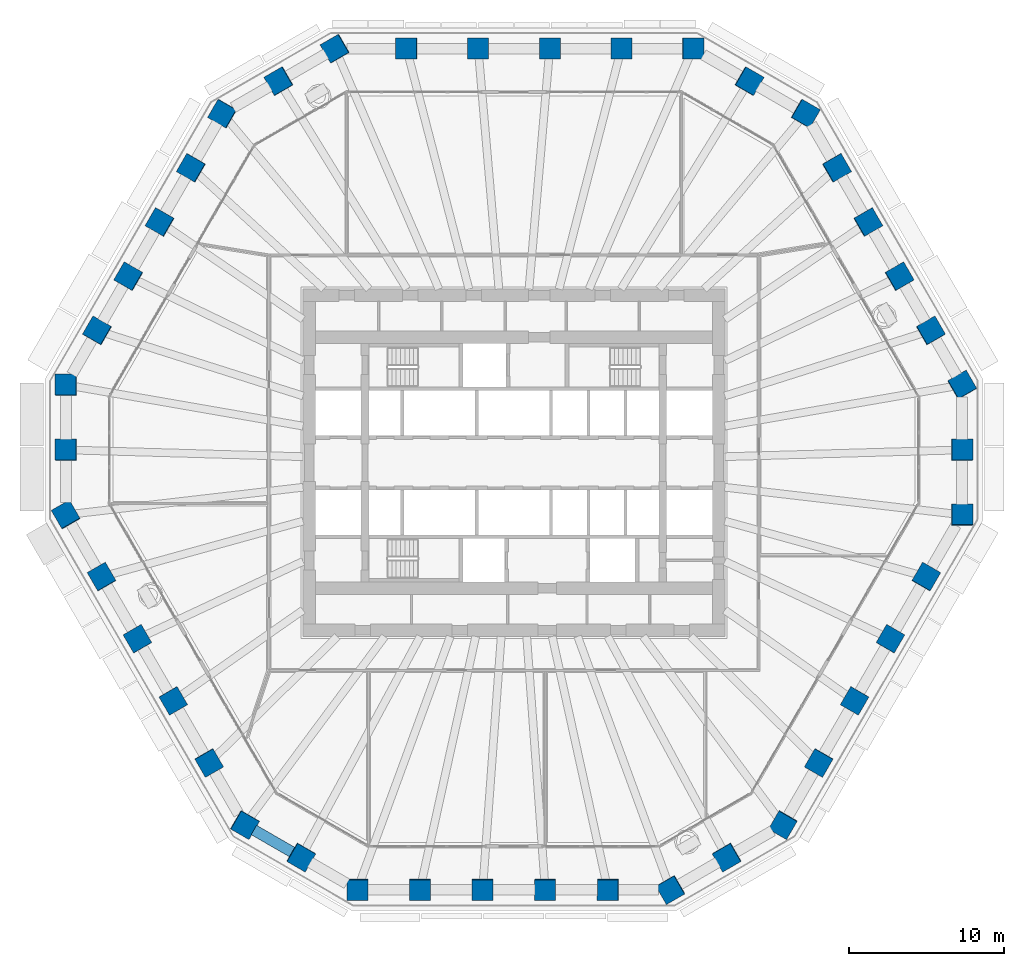
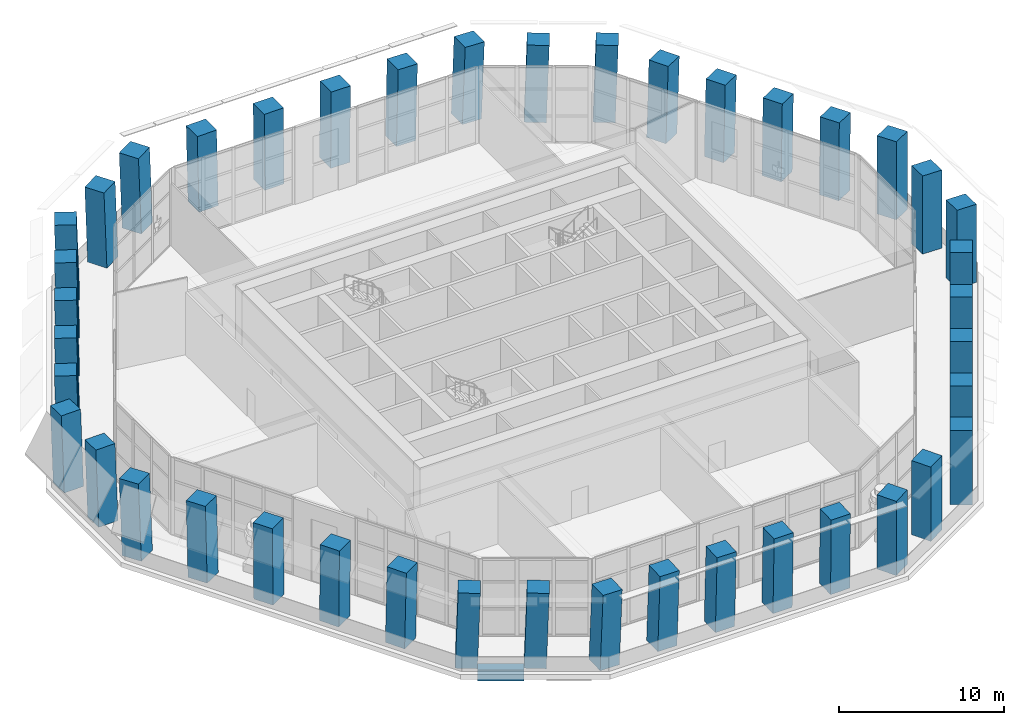
# One storey, part 1 of 22: 42 columns, 1 beam.
"""IFC4 building model written with IfcOpenShell, lengths in metres."""

from ifc_helpers import new_model, si_unit, direction, frame, origin, origin_2d, place, context, subcontext, project, spatial, rectangle, extrude, material, material_profile, profile_set, type_object, element, save


model = new_model("IFC4")

# Units and contexts
model_context = context("Model", 3, precision=1e-05, world=origin(), true_north=direction((0.0, 1.0)))
body_context = subcontext(model_context, "Body", "Model", "MODEL_VIEW")
ifc_project = project(units=[si_unit("LENGTHUNIT", "METRE"), si_unit("AREAUNIT", "SQUARE_METRE"), si_unit("VOLUMEUNIT", "CUBIC_METRE"), si_unit("PLANEANGLEUNIT", "RADIAN"), si_unit("MASSUNIT", "GRAM", prefix="KILO")], contexts=[model_context])

# Site, building, storey
site_placement = place(None, origin())
site = spatial("IfcSite", under=ifc_project, at=site_placement, CompositionType="ELEMENT")
building_placement = place(site_placement, origin())
building = spatial("IfcBuilding", under=site, at=building_placement, Name="Frailejon Research Tower", CompositionType="ELEMENT")
storey_placement = place(building_placement, frame((0.0, 0.0, 107.199951171875)))
storey = spatial("IfcBuildingStorey", under=building, at=storey_placement, Name="L23", CompositionType="ELEMENT", Elevation=107.199951171875)

# Columns
ifc_material_1 = material(Name="Concrete C70/85", Category="concrete")
ifc_material_profile_1 = material_profile(ifc_material_1, rectangle(XDim=1.35009765625, YDim=1.35009765625, at=origin_2d()), Name="Column 1350")
ifc_profile_set_1 = profile_set([ifc_material_profile_1], Name="Concrete C70/85")
column_type = type_object("IfcColumnType", Name="Column 1350", PredefinedType="COLUMN", material=ifc_profile_set_1)
for number, where, z_axis, x_axis, name in (
    (1, (28.891845703125, -3.35791015625, 0.0), (0.018136105112, 0.031392734324, 0.999342572856), (-0.000571975995, 0.999507126651, -0.031387523275), "Column C01"),
    (2, (28.891845703125, 0.82958984375, 0.0), (0.018136105112, 0.031392734324, 0.999342572856), (-0.000571975995, 0.999507126651, -0.031387523275), "Column C02"),
    (3, (28.891845703125, 5.01708984375, 0.0), (0.01813608051, 0.031435872884, 0.999341217243), (-0.50072910912, 0.86541403651, -0.018135729713), "Column C03"),
):
    element("IfcColumn", number, at=place(storey_placement, frame(where, z_axis=z_axis, x_axis=x_axis)), inside=storey, type_object=column_type, Name=name, PredefinedType="COLUMN", context=body_context, shape_type="SweptSolid", body=[
        extrude(rectangle(XDim=1.35009765625, YDim=1.35009765625, at=origin_2d()), origin(), (0.0, 0.0, 1.0), 5.65380859375),
    ])
column_1_placement = place(storey_placement, frame((26.87158203125, 8.516357421875, 0.0), z_axis=(0.021765626425, 0.025090930462, 0.999448199115), x_axis=(-0.499890610689, 0.866020525315, -0.010854818192)))
element("IfcColumn", 4, at=column_1_placement, inside=storey, type_object=column_type, Name="Column C04", PredefinedType="COLUMN", context=body_context, shape_type="SweptSolid", body=[
    extrude(rectangle(XDim=1.35009765625, YDim=1.35009765625, at=origin_2d()), origin(), (0.0, 0.0, 1.0), 5.6533203125),
])
for number, where, z_axis, x_axis, name in (
    (5, (24.8515625, 12.015380859375, 0.0), (0.025394550746, 0.018829973002, 0.999500149529), (-0.499743794065, 0.866165705422, -0.003620917628), "Column C05"),
    (6, (22.831298828125, 15.514404296875, 0.0), (0.029022332207, 0.012567706357, 0.999499753372), (-0.499626062633, 0.866233643609, 0.003615552167), "Column C06"),
):
    element("IfcColumn", number, at=place(storey_placement, frame(where, z_axis=z_axis, x_axis=x_axis)), inside=storey, type_object=column_type, Name=name, PredefinedType="COLUMN", context=body_context, shape_type="SweptSolid", body=[
        extrude(rectangle(XDim=1.35009765625, YDim=1.35009765625, at=origin_2d()), origin(), (0.0, 0.0, 1.0), 5.653076171875),
    ])
column_2_placement = place(storey_placement, frame((20.81103515625, 19.013427734375, 0.0), z_axis=(0.03264840968, 0.006261930428, 0.999447282038), x_axis=(-0.499216344669, 0.866409073915, 0.010879239548)))
element("IfcColumn", 7, at=column_2_placement, inside=storey, type_object=column_type, Name="Column C07", PredefinedType="COLUMN", context=body_context, shape_type="SweptSolid", body=[
    extrude(rectangle(XDim=1.35009765625, YDim=1.35009765625, at=origin_2d()), origin(), (0.0, 0.0, 1.0), 5.6533203125),
])
for number, where, z_axis, x_axis, name in (
    (8, (18.791015625, 22.512451171875, 0.0), (0.036272187532, 0.0, 0.999341947689), (-0.865313328016, 0.500246354177, 0.03140747507), "Column C08"),
    (9, (15.164306640625, 24.606201171875, 0.0), (0.036272187532, 0.0, 0.999341947689), (-0.865313328016, 0.500246354177, 0.03140747507), "Column C09"),
    (10, (11.537841796875, 26.699951171875, 0.0), (0.036272187532, 0.0, 0.999341947689), (-0.999341947689, 0.0, 0.036272187532), "Column C10"),
):
    element("IfcColumn", number, at=place(storey_placement, frame(where, z_axis=z_axis, x_axis=x_axis)), inside=storey, type_object=column_type, Name=name, PredefinedType="COLUMN", context=body_context, shape_type="SweptSolid", body=[
        extrude(rectangle(XDim=1.35009765625, YDim=1.35009765625, at=origin_2d()), origin(), (0.0, 0.0, 1.0), 5.65380859375),
    ])
column_3_placement = place(storey_placement, frame((6.922607421875, 26.699951171875, 0.0), z_axis=(0.021815659817, 0.0, 0.999762010174), x_axis=(-0.999762010174, 0.0, 0.021815659817)))
element("IfcColumn", 11, at=column_3_placement, inside=storey, type_object=column_type, Name="Column C11", PredefinedType="COLUMN", context=body_context, shape_type="SweptSolid", body=[
    extrude(rectangle(XDim=1.35009765625, YDim=1.35009765625, at=origin_2d()), origin(), (0.0, 0.0, 1.0), 5.651611328125),
])
for number, where, z_axis, x_axis, name in (
    (12, (2.3076171875, 26.699951171875, 0.0), (0.00725902319, 0.0, 0.999973652944), (-0.999973652944, 0.0, 0.00725902319), "Column C12"),
    (13, (-2.3076171875, 26.699951171875, 0.0), (-0.00725902319, 0.0, 0.999973652944), (-0.999973652944, 0.0, -0.00725902319), "Column C13"),
):
    element("IfcColumn", number, at=place(storey_placement, frame(where, z_axis=z_axis, x_axis=x_axis)), inside=storey, type_object=column_type, Name=name, PredefinedType="COLUMN", context=body_context, shape_type="SweptSolid", body=[
        extrude(rectangle(XDim=1.35009765625, YDim=1.35009765625, at=origin_2d()), origin(), (0.0, 0.0, 1.0), 5.650390625),
    ])
column_4_placement = place(storey_placement, frame((-6.922607421875, 26.699951171875, 0.0), z_axis=(-0.021815659817, 0.0, 0.999762010174), x_axis=(-0.999762010174, 0.0, -0.021815659817)))
element("IfcColumn", 14, at=column_4_placement, inside=storey, type_object=column_type, Name="Column C14", PredefinedType="COLUMN", context=body_context, shape_type="SweptSolid", body=[
    extrude(rectangle(XDim=1.35009765625, YDim=1.35009765625, at=origin_2d()), origin(), (0.0, 0.0, 1.0), 5.651611328125),
])
for number, where, z_axis, x_axis, name in (
    (15, (-11.537841796875, 26.699951171875, 0.0), (-0.036272187532, 0.0, 0.999341947689), (-0.865313328016, -0.500246354177, -0.03140747507), "Column C15"),
    (16, (-15.164306640625, 24.606201171875, 0.0), (-0.036272187532, 0.0, 0.999341947689), (-0.865313328016, -0.500246354177, -0.03140747507), "Column C16"),
    (17, (-18.791015625, 22.512451171875, 0.0), (-0.036272187532, 0.0, 0.999341947689), (-0.499424741341, -0.866167613071, -0.018127156493), "Column C17"),
):
    element("IfcColumn", number, at=place(storey_placement, frame(where, z_axis=z_axis, x_axis=x_axis)), inside=storey, type_object=column_type, Name=name, PredefinedType="COLUMN", context=body_context, shape_type="SweptSolid", body=[
        extrude(rectangle(XDim=1.35009765625, YDim=1.35009765625, at=origin_2d()), origin(), (0.0, 0.0, 1.0), 5.65380859375),
    ])
column_5_placement = place(storey_placement, frame((-20.81103515625, 19.013427734375, 0.0), z_axis=(-0.03264840968, 0.006261930428, 0.999447282038), x_axis=(-0.499216344669, -0.866409073915, -0.010879239548)))
element("IfcColumn", 18, at=column_5_placement, inside=storey, type_object=column_type, Name="Column C18", PredefinedType="COLUMN", context=body_context, shape_type="SweptSolid", body=[
    extrude(rectangle(XDim=1.35009765625, YDim=1.35009765625, at=origin_2d()), origin(), (0.0, 0.0, 1.0), 5.6533203125),
])
for number, where, z_axis, x_axis, name in (
    (19, (-22.831298828125, 15.514404296875, 0.0), (-0.029022332207, 0.012567706357, 0.999499753372), (-0.499626062633, -0.866233643609, -0.003615552167), "Column C19"),
    (20, (-24.8515625, 12.015380859375, 0.0), (-0.025394550746, 0.018829973002, 0.999500149529), (-0.499743794065, -0.866165705422, 0.003620917628), "Column C20"),
):
    element("IfcColumn", number, at=place(storey_placement, frame(where, z_axis=z_axis, x_axis=x_axis)), inside=storey, type_object=column_type, Name=name, PredefinedType="COLUMN", context=body_context, shape_type="SweptSolid", body=[
        extrude(rectangle(XDim=1.35009765625, YDim=1.35009765625, at=origin_2d()), origin(), (0.0, 0.0, 1.0), 5.653076171875),
    ])
column_6_placement = place(storey_placement, frame((-26.87158203125, 8.516357421875, 0.0), z_axis=(-0.021765626425, 0.025090930462, 0.999448199115), x_axis=(-0.499890610689, -0.866020525315, 0.010854818192)))
element("IfcColumn", 21, at=column_6_placement, inside=storey, type_object=column_type, Name="Column C21", PredefinedType="COLUMN", context=body_context, shape_type="SweptSolid", body=[
    extrude(rectangle(XDim=1.35009765625, YDim=1.35009765625, at=origin_2d()), origin(), (0.0, 0.0, 1.0), 5.6533203125),
])
for number, where, z_axis, x_axis, name in (
    (22, (-28.891845703125, 5.01708984375, 0.0), (-0.01813608051, 0.031435872884, 0.999341217243), (-0.000937114333, -0.99950570359, 0.03142404028), "Column C22"),
    (23, (-28.891845703125, 0.82958984375, 0.0), (-0.018136105112, 0.031392734324, 0.999342572856), (-0.000571975995, -0.999507126651, 0.031387523275), "Column C23"),
    (24, (-28.891845703125, -3.35791015625, 0.0), (-0.018136105112, 0.031392734324, 0.999342572856), (0.499670242615, -0.86545665788, 0.036254957965), "Column C24"),
):
    element("IfcColumn", number, at=place(storey_placement, frame(where, z_axis=z_axis, x_axis=x_axis)), inside=storey, type_object=column_type, Name=name, PredefinedType="COLUMN", context=body_context, shape_type="SweptSolid", body=[
        extrude(rectangle(XDim=1.35009765625, YDim=1.35009765625, at=origin_2d()), origin(), (0.0, 0.0, 1.0), 5.65380859375),
    ])
column_7_placement = place(storey_placement, frame((-26.584228515625, -7.354736328125, 0.0), z_axis=(-0.01088624472, 0.018834931341, 0.999763339515), x_axis=(0.499708106589, -0.865920633466, 0.021754648881)))
element("IfcColumn", 25, at=column_7_placement, inside=storey, type_object=column_type, Name="Column C25", PredefinedType="COLUMN", context=body_context, shape_type="SweptSolid", body=[
    extrude(rectangle(XDim=1.35009765625, YDim=1.35009765625, at=origin_2d()), origin(), (0.0, 0.0, 1.0), 5.6513671875),
])
for number, where, z_axis, x_axis, name in (
    (26, (-24.276611328125, -11.3515625, 0.0), (-0.00362951208, 0.006265229185, 0.999973786429), (0.50239661456, -0.864606971586, 0.007240605216), "Column C26"),
    (27, (-21.968994140625, -15.348388671875, 0.0), (0.00362951208, -0.006265229185, 0.999973786429), (0.500675288909, -0.865604891764, -0.007240609842), "Column C27"),
):
    element("IfcColumn", number, at=place(storey_placement, frame(where, z_axis=z_axis, x_axis=x_axis)), inside=storey, type_object=column_type, Name=name, PredefinedType="COLUMN", context=body_context, shape_type="SweptSolid", body=[
        extrude(rectangle(XDim=1.35009765625, YDim=1.35009765625, at=origin_2d()), origin(), (0.0, 0.0, 1.0), 5.650390625),
    ])
column_8_placement = place(storey_placement, frame((-19.66162109375, -19.34521484375, 0.0), z_axis=(0.010886235852, -0.018878115347, 0.999762525118), x_axis=(0.499423128653, -0.866084086678, -0.021792048321)))
element("IfcColumn", 28, at=column_8_placement, inside=storey, type_object=column_type, Name="Column C28", PredefinedType="COLUMN", context=body_context, shape_type="SweptSolid", body=[
    extrude(rectangle(XDim=1.35009765625, YDim=1.35009765625, at=origin_2d()), origin(), (0.0, 0.0, 1.0), 5.6513671875),
])
for number, where, z_axis, x_axis, name in (
    (29, (-17.35400390625, -23.342041015625, 0.0), (0.018136105112, -0.031392734324, 0.999342572856), (0.866081159362, -0.498916898753, -0.031390341456), "Column C29"),
    (30, (-13.727294921875, -25.435791015625, 0.0), (0.018092938061, -0.03139275888, 0.999343354549), (0.865366969829, -0.50015534853, -0.031378892051), "Column C30"),
    (31, (-10.100830078125, -27.52978515625, 0.0), (0.018136105112, -0.031392734324, 0.999342572856), (0.999835527319, 0.0005680888, -0.018127205674), "Column C31"),
):
    element("IfcColumn", number, at=place(storey_placement, frame(where, z_axis=z_axis, x_axis=x_axis)), inside=storey, type_object=column_type, Name=name, PredefinedType="COLUMN", context=body_context, shape_type="SweptSolid", body=[
        extrude(rectangle(XDim=1.35009765625, YDim=1.35009765625, at=origin_2d()), origin(), (0.0, 0.0, 1.0), 5.65380859375),
    ])
column_9_placement = place(storey_placement, frame((-6.060546875, -27.52978515625, 0.0), z_axis=(0.010882808585, -0.031396039052, 0.999447774128), x_axis=(0.999940762857, 0.000529376632, -0.010871547139)))
element("IfcColumn", 32, at=column_9_placement, inside=storey, type_object=column_type, Name="Column C32", PredefinedType="COLUMN", context=body_context, shape_type="SweptSolid", body=[
    extrude(rectangle(XDim=1.35009765625, YDim=1.35009765625, at=origin_2d()), origin(), (0.0, 0.0, 1.0), 5.6533203125),
])
for number, where, z_axis, x_axis, name in (
    (33, (-2.020263671875, -27.52978515625, 0.0), (0.003627793827, -0.031397691808, 0.999500387224), (0.999993413968, 8.446115e-06, -0.003629317999), "Column C33"),
    (34, (2.020263671875, -27.52978515625, 0.0), (-0.003627793827, -0.031397691808, 0.999500387224), (0.999993413968, -8.446115e-06, 0.003629317999), "Column C34"),
):
    element("IfcColumn", number, at=place(storey_placement, frame(where, z_axis=z_axis, x_axis=x_axis)), inside=storey, type_object=column_type, Name=name, PredefinedType="COLUMN", context=body_context, shape_type="SweptSolid", body=[
        extrude(rectangle(XDim=1.35009765625, YDim=1.35009765625, at=origin_2d()), origin(), (0.0, 0.0, 1.0), 5.653076171875),
    ])
column_10_placement = place(storey_placement, frame((6.060546875, -27.52978515625, 0.0), z_axis=(-0.010882808585, -0.031396039052, 0.999447774128), x_axis=(0.999940762857, -0.000529376632, 0.010871547139)))
element("IfcColumn", 35, at=column_10_placement, inside=storey, type_object=column_type, Name="Column C35", PredefinedType="COLUMN", context=body_context, shape_type="SweptSolid", body=[
    extrude(rectangle(XDim=1.35009765625, YDim=1.35009765625, at=origin_2d()), origin(), (0.0, 0.0, 1.0), 5.6533203125),
])
for number, where, z_axis, x_axis, name in (
    (36, (10.100830078125, -27.52978515625, 0.0), (-0.018136105112, -0.031392734324, 0.999342572856), (0.86588229265, 0.499261503274, 0.031397557611), "Column C36"),
    (37, (13.727294921875, -25.435791015625, 0.0), (-0.018092938061, -0.03139275888, 0.999343354549), (0.865366969829, 0.50015534853, 0.031378892051), "Column C37"),
    (38, (17.35400390625, -23.342041015625, 0.0), (-0.018136105112, -0.031392734324, 0.999342572856), (0.500014825091, 0.865257622117, 0.036254959073), "Column C38"),
):
    element("IfcColumn", number, at=place(storey_placement, frame(where, z_axis=z_axis, x_axis=x_axis)), inside=storey, type_object=column_type, Name=name, PredefinedType="COLUMN", context=body_context, shape_type="SweptSolid", body=[
        extrude(rectangle(XDim=1.35009765625, YDim=1.35009765625, at=origin_2d()), origin(), (0.0, 0.0, 1.0), 5.65380859375),
    ])
column_11_placement = place(storey_placement, frame((19.66162109375, -19.34521484375, 0.0), z_axis=(-0.010886235852, -0.018878115347, 0.999762525118), x_axis=(0.499423128653, 0.866084086678, 0.021792048321)))
element("IfcColumn", 39, at=column_11_placement, inside=storey, type_object=column_type, Name="Column C39", PredefinedType="COLUMN", context=body_context, shape_type="SweptSolid", body=[
    extrude(rectangle(XDim=1.35009765625, YDim=1.35009765625, at=origin_2d()), origin(), (0.0, 0.0, 1.0), 5.6513671875),
])
for number, where, z_axis, x_axis, name in (
    (40, (21.968994140625, -15.348388671875, 0.0), (-0.00362951208, -0.006265229185, 0.999973786429), (0.500675288909, 0.865604891764, 0.007240609842), "Column C40"),
    (41, (24.276611328125, -11.3515625, 0.0), (0.00362951208, 0.006265229185, 0.999973786429), (0.50239661456, 0.864606971586, -0.007240605216), "Column C41"),
):
    element("IfcColumn", number, at=place(storey_placement, frame(where, z_axis=z_axis, x_axis=x_axis)), inside=storey, type_object=column_type, Name=name, PredefinedType="COLUMN", context=body_context, shape_type="SweptSolid", body=[
        extrude(rectangle(XDim=1.35009765625, YDim=1.35009765625, at=origin_2d()), origin(), (0.0, 0.0, 1.0), 5.650390625),
    ])
column_12_placement = place(storey_placement, frame((26.584228515625, -7.354736328125, 0.0), z_axis=(0.01088624472, 0.018834931341, 0.999763339515), x_axis=(0.499708106589, 0.865920633466, -0.021754648881)))
element("IfcColumn", 42, at=column_12_placement, inside=storey, type_object=column_type, Name="Column C42", PredefinedType="COLUMN", context=body_context, shape_type="SweptSolid", body=[
    extrude(rectangle(XDim=1.35009765625, YDim=1.35009765625, at=origin_2d()), origin(), (0.0, 0.0, 1.0), 5.6513671875),
])

# Beam
ifc_material_2 = material(Name="Concrete C60/75", Category="concrete")
ifc_material_profile_2 = material_profile(ifc_material_2, rectangle(XDim=0.699951171875, YDim=0.800048828125, at=origin_2d()), Name="Spandrel 700x800")
ifc_profile_set_2 = profile_set([ifc_material_profile_2], Name="Concrete C60/75")
beam_type = type_object("IfcBeamType", Name="Spandrel 700x800", PredefinedType="BEAM", material=ifc_profile_set_2)
beam_placement = place(storey_placement, frame((-16.769287109375, -23.6796875, -0.75), z_axis=(0.866026538634, -0.499998034377, 0.0), x_axis=(0.499998034377, 0.866026538634, 0.0)))
element("IfcBeam", 43, at=beam_placement, inside=storey, type_object=beam_type, Name="Spandrel 700x800", PredefinedType="BEAM", context=body_context, shape_type="SweptSolid", body=[
    extrude(rectangle(XDim=0.699951171875, YDim=0.800048828125, at=origin_2d()), origin(), (0.0, 0.0, 1.0), 2.83740234375),
])

save(model, "model.ifc")
